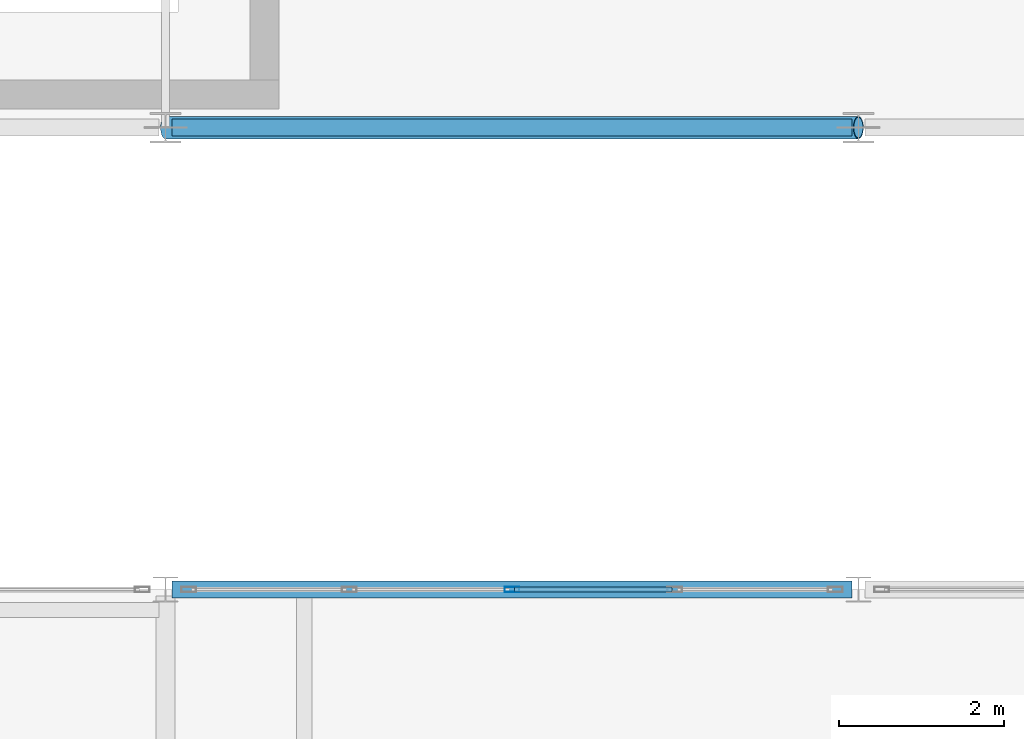
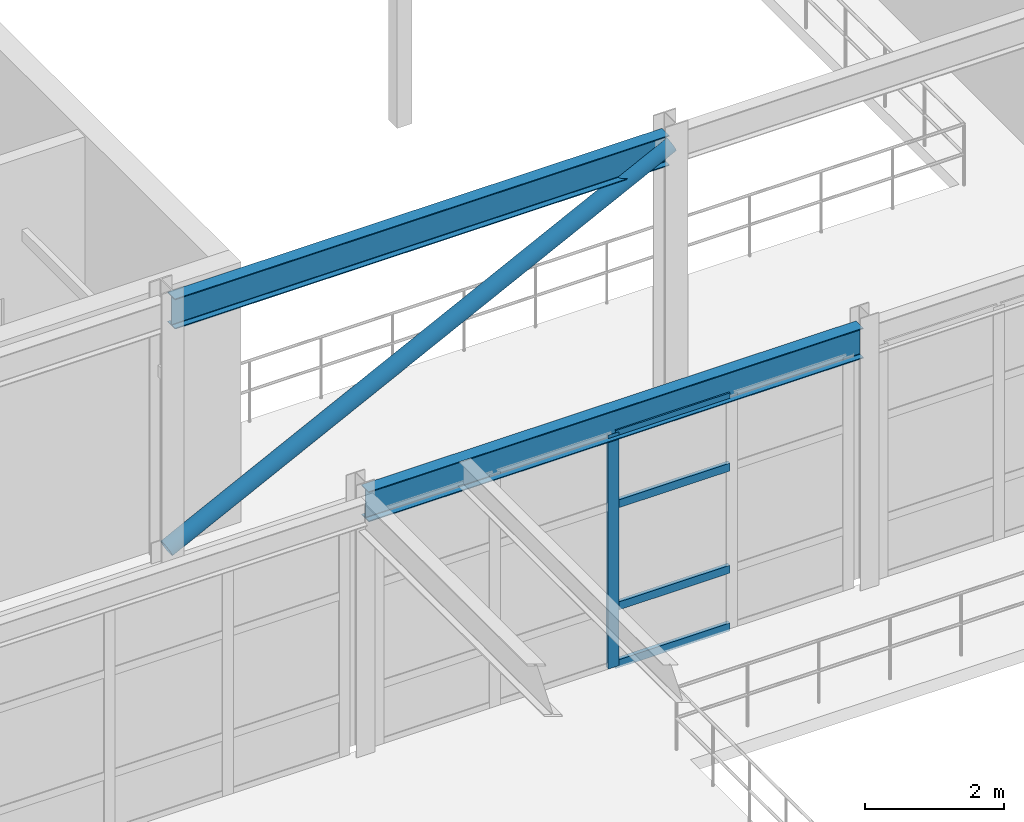
# One storey, part 30 of 116: 6 members, 2 beams, 1 element without a shape of its own.
"""IFC4 building model written with IfcOpenShell, lengths in metres."""

from ifc_helpers import new_model, si_unit, direction, frame, origin, origin_2d, place, context, subcontext, project, spatial, hollow_rectangle, hollow_circle, i_section, extrude, material, layer, layer_set, material_profile, profile_set, type_object, element, aggregate, save


model = new_model("IFC4")

# Units and contexts
model_context = context("Model", 3, precision=1e-05, world=origin(), true_north=direction((0.0, 1.0)))
body_context = subcontext(model_context, "Body", "Model", "MODEL_VIEW")
ifc_project = project(units=[si_unit("LENGTHUNIT", "METRE"), si_unit("AREAUNIT", "SQUARE_METRE"), si_unit("VOLUMEUNIT", "CUBIC_METRE"), si_unit("PLANEANGLEUNIT", "RADIAN"), si_unit("MASSUNIT", "GRAM", prefix="KILO")], contexts=[model_context])

# Site, building, storey
site_placement = place(None, origin())
site = spatial("IfcSite", under=ifc_project, at=site_placement, CompositionType="ELEMENT")
building_placement = place(site_placement, origin())
building = spatial("IfcBuilding", under=site, at=building_placement, Name="Selat Folded Stagehouse", CompositionType="ELEMENT")
storey_placement = place(building_placement, frame((0.0, 0.0, 5.39990234375)))
storey = spatial("IfcBuildingStorey", under=building, at=storey_placement, Name="L01", CompositionType="ELEMENT", Elevation=5.39990234375)

# Beams
ifc_material_1 = material(Name="Steel S355", Category="steel")
ifc_material_profile_1 = material_profile(ifc_material_1, i_section(OverallWidth=0.209228515625, OverallDepth=0.533203125, WebThickness=0.010009765625, FlangeThickness=0.015625, FilletRadius=0.0126953125, at=origin_2d()), Name="UKB 533x210x92")
ifc_profile_set_1 = profile_set([ifc_material_profile_1], Name="Steel S355")
beam_type = type_object("IfcBeamType", Name="BM-GIRD-533x210x92", PredefinedType="BEAM", material=ifc_profile_set_1)
beam_1_placement = place(storey_placement, frame((42.076904296875, 17.800048828125, 4.3134765625), z_axis=(1.0, 0.0, 0.0), x_axis=(0.0, 1.0, 0.0)))
element("IfcBeam", 1, at=beam_1_placement, inside=storey, type_object=beam_type, Name="L01 primary x-girder 0767", PredefinedType="BEAM", context=body_context, shape_type="SweptSolid", body=[
    extrude(i_section(OverallWidth=0.209228515625, OverallDepth=0.533203125, WebThickness=0.010009765625, FlangeThickness=0.015625, FilletRadius=0.0126953125, at=origin_2d()), origin(), (0.0, 0.0, 1.0), 8.24609375),
])
beam_2_placement = place(storey_placement, frame((42.080078125, 23.39990234375, 4.3134765625), z_axis=(1.0, 0.0, 0.0), x_axis=(0.0, 1.0, 0.0)))
element("IfcBeam", 2, at=beam_2_placement, inside=storey, type_object=beam_type, Name="L01 primary x-girder 0779", PredefinedType="BEAM", context=body_context, shape_type="SweptSolid", body=[
    extrude(i_section(OverallWidth=0.209228515625, OverallDepth=0.533203125, WebThickness=0.010009765625, FlangeThickness=0.015625, FilletRadius=0.0126953125, at=origin_2d()), origin(), (0.0, 0.0, 1.0), 8.239990234375),
])

# Curtain wall, members
ifc_material_2 = material(Name="Aluminium 6063-T6", Category="aluminium")
ifc_layer = layer(ifc_material_2, 0.195068359375)
ifc_layer_set = layer_set([ifc_layer], Name="Aluminium 6063-T6")
curtain_wall_type = type_object("IfcCurtainWallType", Name="CW-FYR-COURT", PredefinedType="NOTDEFINED", material=ifc_layer_set)
curtain_wall_placement = place(storey_placement, origin())
curtain_wall = element("IfcCurtainWall", 3, at=curtain_wall_placement, inside=storey, type_object=curtain_wall_type, Name="L01 curtain wall CW-FYR-L01-08", PredefinedType="NOTDEFINED")
ifc_material_profile_2 = material_profile(ifc_material_2, hollow_rectangle(XDim=0.06494140625, YDim=0.179931640625, WallThickness=0.00390625, at=origin_2d()), Name="ALU 180x65x4.0")
ifc_profile_set_2 = profile_set([ifc_material_profile_2], Name="Aluminium 6063-T6")
member_type_1 = type_object("IfcMemberType", Name="CWM-MUL-180x65", PredefinedType="MULLION", material=ifc_profile_set_2)
member_1_placement = place(storey_placement, frame((46.199951171875, 17.800048828125, 0.0), z_axis=(0.0, 0.0, 1.0), x_axis=(0.0, 1.0, 0.0)))
member_1 = element("IfcMember", 4, at=member_1_placement, type_object=member_type_1, Name="CW-05 mullion 3", PredefinedType="MULLION", context=body_context, shape_type="SweptSolid", body=[
    extrude(hollow_rectangle(XDim=0.06494140625, YDim=0.179931640625, WallThickness=0.00390625, at=origin_2d()), origin(), (0.0, 0.0, 1.0), 4.1201171875),
])
ifc_material_profile_3 = material_profile(ifc_material_2, hollow_rectangle(XDim=0.06494140625, YDim=0.139892578125, WallThickness=0.00390625, at=origin_2d()), Name="ALU 140x65x4.0")
ifc_profile_set_3 = profile_set([ifc_material_profile_3], Name="Aluminium 6063-T6")
member_type_2 = type_object("IfcMemberType", Name="CWM-TRN-140x65", PredefinedType="USERDEFINED", material=ifc_profile_set_3)
member_2_placement = place(storey_placement, frame((46.232421875, 17.800048828125, 0.03271484375), z_axis=(1.0, 0.0, 0.0), x_axis=(0.0, 1.0, 0.0)))
member_2 = element("IfcMember", 5, at=member_2_placement, type_object=member_type_2, Name="CW-05 transom 3.1", ObjectType="TRANSOM", PredefinedType="USERDEFINED", context=body_context, shape_type="SweptSolid", body=[
    extrude(hollow_rectangle(XDim=0.06494140625, YDim=0.139892578125, WallThickness=0.00390625, at=origin_2d()), origin(), (0.0, 0.0, 1.0), 1.91015625),
])
member_3_placement = place(storey_placement, frame((46.232421875, 17.800048828125, 1.050048828125), z_axis=(1.0, 0.0, 0.0), x_axis=(0.0, 1.0, 0.0)))
member_3 = element("IfcMember", 6, at=member_3_placement, type_object=member_type_2, Name="CW-05 transom 3.2", ObjectType="TRANSOM", PredefinedType="USERDEFINED", context=body_context, shape_type="SweptSolid", body=[
    extrude(hollow_rectangle(XDim=0.06494140625, YDim=0.139892578125, WallThickness=0.00390625, at=origin_2d()), origin(), (0.0, 0.0, 1.0), 1.91015625),
])
member_4_placement = place(storey_placement, frame((46.232421875, 17.800048828125, 2.85009765625), z_axis=(1.0, 0.0, 0.0), x_axis=(0.0, 1.0, 0.0)))
member_4 = element("IfcMember", 7, at=member_4_placement, type_object=member_type_2, Name="CW-05 transom 3.3", ObjectType="TRANSOM", PredefinedType="USERDEFINED", context=body_context, shape_type="SweptSolid", body=[
    extrude(hollow_rectangle(XDim=0.06494140625, YDim=0.139892578125, WallThickness=0.00390625, at=origin_2d()), origin(), (0.0, 0.0, 1.0), 1.91015625),
])
member_5_placement = place(storey_placement, frame((46.232421875, 17.800048828125, 4.087646484375), z_axis=(1.0, 0.0, 0.0), x_axis=(0.0, 1.0, 0.0)))
member_5 = element("IfcMember", 8, at=member_5_placement, type_object=member_type_2, Name="CW-05 transom 3.4", ObjectType="TRANSOM", PredefinedType="USERDEFINED", context=body_context, shape_type="SweptSolid", body=[
    extrude(hollow_rectangle(XDim=0.06494140625, YDim=0.139892578125, WallThickness=0.00390625, at=origin_2d()), origin(), (0.0, 0.0, 1.0), 1.91015625),
])
aggregate(curtain_wall, [member_1, member_2, member_3, member_4, member_5])

# Member
ifc_material_profile_4 = material_profile(ifc_material_1, hollow_circle(Radius=0.136474609375, WallThickness=0.012451171875, at=origin_2d()), Name="CHS 273.0x12.5")
ifc_profile_set_4 = profile_set([ifc_material_profile_4], Name="Steel S355")
member_type_3 = type_object("IfcMemberType", Name="MEM-BRACE-CHS273", PredefinedType="BRACE", material=ifc_profile_set_4)
member_6_placement = place(storey_placement, frame((42.0, 23.39990234375, 0.150146484375), z_axis=(0.894427191, 0.0, 0.4472135955), x_axis=(0.0, 1.0, 0.0)))
element("IfcMember", 9, at=member_6_placement, inside=storey, type_object=member_type_3, Name="L01 vertical frame brace 02", PredefinedType="BRACE", context=body_context, shape_type="SweptSolid", body=[
    extrude(hollow_circle(Radius=0.136474609375, WallThickness=0.012451171875, at=origin_2d()), origin(), (0.0, 0.0, 1.0), 9.391357421875),
])

save(model, "model.ifc")
